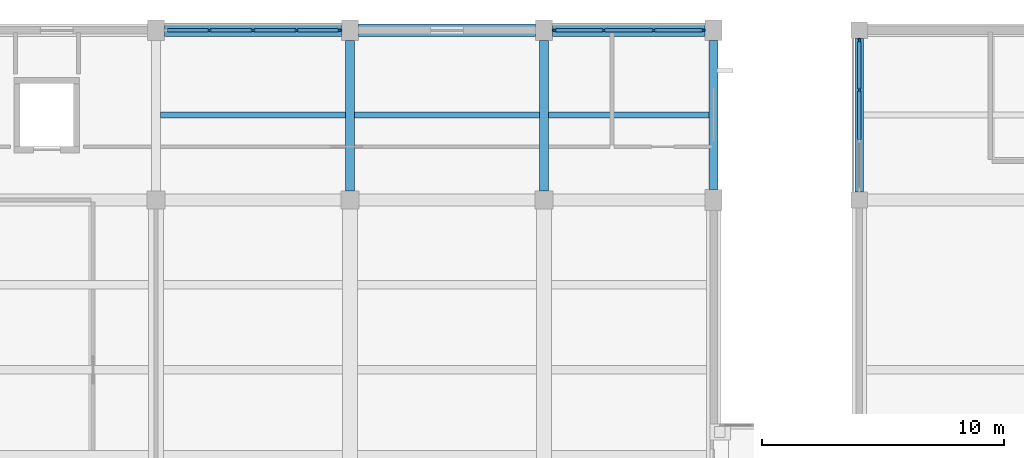
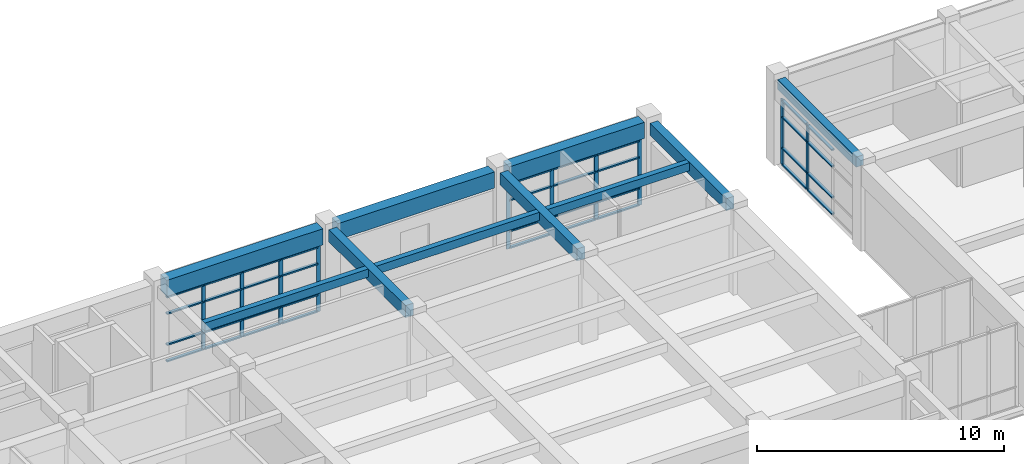
# One storey, part 32 of 72: 46 members, 10 beams, 3 elements without a shape of their own.
"""IFC4 building model written with IfcOpenShell, lengths in metres."""

from ifc_helpers import new_model, si_unit, direction, frame, origin, origin_2d, place, context, subcontext, project, spatial, rectangle, extrude, material, layer, layer_set, material_profile, profile_set, type_object, element, aggregate, save


model = new_model("IFC4")

# Units and contexts
model_context = context("Model", 3, precision=1e-05, world=origin(), true_north=direction((0.0, 1.0)))
body_context = subcontext(model_context, "Body", "Model", "MODEL_VIEW")
ifc_project = project(units=[si_unit("LENGTHUNIT", "METRE"), si_unit("AREAUNIT", "SQUARE_METRE"), si_unit("VOLUMEUNIT", "CUBIC_METRE"), si_unit("PLANEANGLEUNIT", "RADIAN"), si_unit("MASSUNIT", "GRAM", prefix="KILO")], contexts=[model_context])

# Site, building, storey
site_placement = place(None, origin())
site = spatial("IfcSite", under=ifc_project, at=site_placement, CompositionType="ELEMENT")
building_placement = place(site_placement, origin())
building = spatial("IfcBuilding", under=site, at=building_placement, Name="Naurynzar Civic Courthouse", CompositionType="ELEMENT")
storey_placement = place(building_placement, frame((0.0, 0.0, 9.89990234375)))
storey = spatial("IfcBuildingStorey", under=building, at=storey_placement, Name="L03", CompositionType="ELEMENT", Elevation=9.89990234375)

# Beams
ifc_material_1 = material(Name="Concrete C40/50", Category="concrete")
ifc_material_profile_1 = material_profile(ifc_material_1, rectangle(XDim=0.25, YDim=0.39990234375, at=origin_2d()), Name="RCB 250x400")
ifc_profile_set_1 = profile_set([ifc_material_profile_1], Name="Concrete C40/50")
beam_type_1 = type_object("IfcBeamType", Name="BM-JST-250x400", PredefinedType="JOIST", material=ifc_profile_set_1)
for number, where, z_axis, x_axis, name in (
    (1, (101.1875, 68.5, 4.0), (1.0, 0.0, 0.0), (0.0, 1.0, 0.0), "V2 secondary rib 652 L03"),
    (2, (109.1875, 68.5, 4.0), (1.0, 0.0, 0.0), (0.0, 1.0, 0.0), "V2 secondary rib 653 L03"),
):
    element("IfcBeam", number, at=place(storey_placement, frame(where, z_axis=z_axis, x_axis=x_axis)), inside=storey, type_object=beam_type_1, Name=name, PredefinedType="JOIST", context=body_context, shape_type="SweptSolid", body=[
        extrude(rectangle(XDim=0.25, YDim=0.39990234375, at=origin_2d()), origin(), (0.0, 0.0, 1.0), 7.625),
    ])
beam_1_placement = place(storey_placement, frame((117.1875, 68.5, 4.0), z_axis=(1.0, 0.0, 0.0), x_axis=(0.0, 1.0, 0.0)))
element("IfcBeam", 3, at=beam_1_placement, inside=storey, type_object=beam_type_1, Name="V2 secondary rib 654 L03", PredefinedType="JOIST", context=body_context, shape_type="SweptSolid", body=[
    extrude(rectangle(XDim=0.25, YDim=0.39990234375, at=origin_2d()), origin(), (0.0, 0.0, 1.0), 6.625),
])
ifc_material_2 = material(Name="Concrete C40/50", Category="concrete")
ifc_material_profile_2 = material_profile(ifc_material_2, rectangle(XDim=0.35009765625, YDim=0.5, at=origin_2d()), Name="RCB 350x500")
ifc_profile_set_2 = profile_set([ifc_material_profile_2], Name="Concrete C40/50")
beam_type_2 = type_object("IfcBeamType", Name="BM-RC-350x500", PredefinedType="BEAM", material=ifc_profile_set_2)
beam_2_placement = place(storey_placement, frame((130.0, 65.33740234375, 3.9501953125), z_axis=(0.0, 1.0, 0.0), x_axis=(-1.0, 0.0, 0.0)))
element("IfcBeam", 4, at=beam_2_placement, inside=storey, type_object=beam_type_2, Name="V5 girder Y-2431 L03", PredefinedType="BEAM", context=body_context, shape_type="SweptSolid", body=[
    extrude(rectangle(XDim=0.35009765625, YDim=0.5, at=origin_2d()), origin(), (0.0, 0.0, 1.0), 6.3251953125),
])
ifc_material_3 = material(Name="Concrete C40/50", Category="concrete")
ifc_material_profile_3 = material_profile(ifc_material_3, rectangle(XDim=0.375, YDim=0.60009765625, at=origin_2d()), Name="RCB 375x600")
ifc_profile_set_3 = profile_set([ifc_material_profile_3], Name="Concrete C40/50")
beam_type_3 = type_object("IfcBeamType", Name="BM-RC-375x600", PredefinedType="BEAM", material=ifc_profile_set_3)
for number, where, z_axis, x_axis, name in (
    (5, (109.0, 65.375, 3.900146484375), (0.0, 1.0, 0.0), (-1.0, 0.0, 0.0), "V2 girder Y-613 L03"),
    (6, (117.0, 65.375, 3.900146484375), (0.0, 1.0, 0.0), (-1.0, 0.0, 0.0), "V2 girder Y-616 L03"),
):
    element("IfcBeam", number, at=place(storey_placement, frame(where, z_axis=z_axis, x_axis=x_axis)), inside=storey, type_object=beam_type_3, Name=name, PredefinedType="BEAM", context=body_context, shape_type="SweptSolid", body=[
        extrude(rectangle(XDim=0.375, YDim=0.60009765625, at=origin_2d()), origin(), (0.0, 0.0, 1.0), 6.199951171875),
    ])
beam_3_placement = place(storey_placement, frame((124.0, 65.425048828125, 3.900146484375), z_axis=(0.0, 1.0, 0.0), x_axis=(-1.0, 0.0, 0.0)))
element("IfcBeam", 7, at=beam_3_placement, inside=storey, type_object=beam_type_3, Name="V2 girder Y-619 L03", PredefinedType="BEAM", context=body_context, shape_type="SweptSolid", body=[
    extrude(rectangle(XDim=0.375, YDim=0.60009765625, at=origin_2d()), origin(), (0.0, 0.0, 1.0), 6.14990234375),
])
ifc_material_4 = material(Name="Concrete C40/50", Category="concrete")
ifc_material_profile_4 = material_profile(ifc_material_4, rectangle(XDim=0.5, YDim=0.800048828125, at=origin_2d()), Name="RCB 500x800")
ifc_profile_set_4 = profile_set([ifc_material_profile_4], Name="Concrete C40/50")
beam_type_4 = type_object("IfcBeamType", Name="BM-RC-500x800", PredefinedType="BEAM", material=ifc_profile_set_4)
for number, where, z_axis, x_axis, name in (
    (8, (101.35009765625, 72.0, 3.800048828125), (1.0, 0.0, 0.0), (0.0, 1.0, 0.0), "V2 beam X-590 L03"),
    (9, (109.35009765625, 72.0, 3.800048828125), (1.0, 0.0, 0.0), (0.0, 1.0, 0.0), "V2 beam X-591 L03"),
):
    element("IfcBeam", number, at=place(storey_placement, frame(where, z_axis=z_axis, x_axis=x_axis)), inside=storey, type_object=beam_type_4, Name=name, PredefinedType="BEAM", context=body_context, shape_type="SweptSolid", body=[
        extrude(rectangle(XDim=0.5, YDim=0.800048828125, at=origin_2d()), origin(), (0.0, 0.0, 1.0), 7.2998046875),
    ])
beam_4_placement = place(storey_placement, frame((117.35009765625, 72.0, 3.800048828125), z_axis=(1.0, 0.0, 0.0), x_axis=(0.0, 1.0, 0.0)))
element("IfcBeam", 10, at=beam_4_placement, inside=storey, type_object=beam_type_4, Name="V2 beam X-592 L03", PredefinedType="BEAM", context=body_context, shape_type="SweptSolid", body=[
    extrude(rectangle(XDim=0.5, YDim=0.800048828125, at=origin_2d()), origin(), (0.0, 0.0, 1.0), 6.2998046875),
])

# Curtain wall, members
ifc_material_5 = material(Name="Aluminium 6063-T6", Category="aluminium")
ifc_layer = layer(ifc_material_5, 0.159912109375)
ifc_layer_set = layer_set([ifc_layer], Name="CW-UNIT-1800")
curtain_wall_type = type_object("IfcCurtainWallType", Name="CW-UNIT-1800", PredefinedType="NOTDEFINED", material=ifc_layer_set)
curtain_wall_1_placement = place(storey_placement, origin())
curtain_wall_1 = element("IfcCurtainWall", 11, at=curtain_wall_1_placement, inside=storey, type_object=curtain_wall_type, Name="V2 unitised curtain wall 26 L03", PredefinedType="NOTDEFINED")
ifc_material_6 = material(Name="Aluminium 6063-T6", Category="aluminium")
ifc_material_profile_5 = material_profile(ifc_material_6, rectangle(XDim=0.070068359375, YDim=0.179931640625, at=origin_2d()), Name="ALU MULLION 70x180")
ifc_profile_set_5 = profile_set([ifc_material_profile_5], Name="Aluminium 6063-T6")
member_type_1 = type_object("IfcMemberType", Name="CWM-70x180", PredefinedType="MULLION", material=ifc_profile_set_5)
member_1_placement = place(storey_placement, frame((103.199951171875, 72.0, 0.0), z_axis=(0.0, 0.0, 1.0), x_axis=(0.0, 1.0, 0.0)))
member_1 = element("IfcMember", 12, at=member_1_placement, type_object=member_type_1, Name="CW-02 mullion 2", PredefinedType="MULLION", context=body_context, shape_type="SweptSolid", body=[
    extrude(rectangle(XDim=0.070068359375, YDim=0.179931640625, at=origin_2d()), origin(), (0.0, 0.0, 1.0), 3.22998046875),
])
member_2_placement = place(storey_placement, frame((105.0, 72.0, 0.0), z_axis=(0.0, 0.0, 1.0), x_axis=(0.0, 1.0, 0.0)))
member_2 = element("IfcMember", 13, at=member_2_placement, type_object=member_type_1, Name="CW-02 mullion 3", PredefinedType="MULLION", context=body_context, shape_type="SweptSolid", body=[
    extrude(rectangle(XDim=0.070068359375, YDim=0.179931640625, at=origin_2d()), origin(), (0.0, 0.0, 1.0), 3.22998046875),
])
member_3_placement = place(storey_placement, frame((106.800048828125, 72.0, 0.0), z_axis=(0.0, 0.0, 1.0), x_axis=(0.0, 1.0, 0.0)))
member_3 = element("IfcMember", 14, at=member_3_placement, type_object=member_type_1, Name="CW-02 mullion 4", PredefinedType="MULLION", context=body_context, shape_type="SweptSolid", body=[
    extrude(rectangle(XDim=0.070068359375, YDim=0.179931640625, at=origin_2d()), origin(), (0.0, 0.0, 1.0), 3.22998046875),
])
member_4_placement = place(storey_placement, frame((108.56494140625, 72.0, 0.0), z_axis=(0.0, 0.0, 1.0), x_axis=(0.0, 1.0, 0.0)))
member_4 = element("IfcMember", 15, at=member_4_placement, type_object=member_type_1, Name="CW-02 mullion 5", PredefinedType="MULLION", context=body_context, shape_type="SweptSolid", body=[
    extrude(rectangle(XDim=0.070068359375, YDim=0.179931640625, at=origin_2d()), origin(), (0.0, 0.0, 1.0), 3.22998046875),
])

curtain_wall_2_placement = place(storey_placement, origin())
curtain_wall_2 = element("IfcCurtainWall", 16, at=curtain_wall_2_placement, inside=storey, type_object=curtain_wall_type, Name="V2 unitised curtain wall 27 L03", PredefinedType="NOTDEFINED")
member_5_placement = place(storey_placement, frame((117.43505859375, 72.0, 0.0), z_axis=(0.0, 0.0, 1.0), x_axis=(0.0, 1.0, 0.0)))
member_5 = element("IfcMember", 17, at=member_5_placement, type_object=member_type_1, Name="CW-02 mullion 1", PredefinedType="MULLION", context=body_context, shape_type="SweptSolid", body=[
    extrude(rectangle(XDim=0.070068359375, YDim=0.179931640625, at=origin_2d()), origin(), (0.0, 0.0, 1.0), 3.22998046875),
])
member_6_placement = place(storey_placement, frame((119.466552734375, 72.0, 0.0), z_axis=(0.0, 0.0, 1.0), x_axis=(0.0, 1.0, 0.0)))
member_6 = element("IfcMember", 18, at=member_6_placement, type_object=member_type_1, Name="CW-02 mullion 2", PredefinedType="MULLION", context=body_context, shape_type="SweptSolid", body=[
    extrude(rectangle(XDim=0.070068359375, YDim=0.179931640625, at=origin_2d()), origin(), (0.0, 0.0, 1.0), 3.22998046875),
])
member_7_placement = place(storey_placement, frame((121.533447265625, 72.0, 0.0), z_axis=(0.0, 0.0, 1.0), x_axis=(0.0, 1.0, 0.0)))
member_7 = element("IfcMember", 19, at=member_7_placement, type_object=member_type_1, Name="CW-02 mullion 3", PredefinedType="MULLION", context=body_context, shape_type="SweptSolid", body=[
    extrude(rectangle(XDim=0.070068359375, YDim=0.179931640625, at=origin_2d()), origin(), (0.0, 0.0, 1.0), 3.22998046875),
])
member_8_placement = place(storey_placement, frame((123.56494140625, 72.0, 0.0), z_axis=(0.0, 0.0, 1.0), x_axis=(0.0, 1.0, 0.0)))
member_8 = element("IfcMember", 20, at=member_8_placement, type_object=member_type_1, Name="CW-02 mullion 4", PredefinedType="MULLION", context=body_context, shape_type="SweptSolid", body=[
    extrude(rectangle(XDim=0.070068359375, YDim=0.179931640625, at=origin_2d()), origin(), (0.0, 0.0, 1.0), 3.22998046875),
])

curtain_wall_3_placement = place(storey_placement, origin())
curtain_wall_3 = element("IfcCurtainWall", 21, at=curtain_wall_3_placement, inside=storey, type_object=curtain_wall_type, Name="V5 unitised curtain wall 93 L03", PredefinedType="NOTDEFINED")
member_9_placement = place(storey_placement, frame((130.0, 69.53759765625, 0.0), z_axis=(0.0, 0.0, 1.0), x_axis=(-1.0, 0.0, 0.0)))
member_9 = element("IfcMember", 22, at=member_9_placement, type_object=member_type_1, Name="CW-02 mullion 3", PredefinedType="MULLION", context=body_context, shape_type="SweptSolid", body=[
    extrude(rectangle(XDim=0.070068359375, YDim=0.179931640625, at=origin_2d()), origin(), (0.0, 0.0, 1.0), 3.22998046875),
])
member_10_placement = place(storey_placement, frame((130.0, 71.577392578125, 0.0), z_axis=(0.0, 0.0, 1.0), x_axis=(-1.0, 0.0, 0.0)))
member_10 = element("IfcMember", 23, at=member_10_placement, type_object=member_type_1, Name="CW-02 mullion 4", PredefinedType="MULLION", context=body_context, shape_type="SweptSolid", body=[
    extrude(rectangle(XDim=0.070068359375, YDim=0.179931640625, at=origin_2d()), origin(), (0.0, 0.0, 1.0), 3.22998046875),
])

# Member
ifc_material_7 = material(Name="Aluminium 6063-T6", Category="aluminium")
ifc_material_profile_6 = material_profile(ifc_material_7, rectangle(XDim=0.1298828125, YDim=0.070068359375, at=origin_2d()), Name="ALU TRANSOM 70x130")
ifc_profile_set_6 = profile_set([ifc_material_profile_6], Name="Aluminium 6063-T6")
member_type_2 = type_object("IfcMemberType", Name="CWT-70x130", PredefinedType="USERDEFINED", material=ifc_profile_set_6)
member_11_placement = place(storey_placement, frame((101.469970703125, 72.0, 0.03515625), z_axis=(1.0, 0.0, 0.0), x_axis=(0.0, 1.0, 0.0)))
member_11 = element("IfcMember", 24, at=member_11_placement, type_object=member_type_2, Name="CW-02 transom 1.1", ObjectType="TRANSOM", PredefinedType="USERDEFINED", context=body_context, shape_type="SweptSolid", body=[
    extrude(rectangle(XDim=0.1298828125, YDim=0.070068359375, at=origin_2d()), origin(), (0.0, 0.0, 1.0), 1.695068359375),
])

member_12_placement = place(storey_placement, frame((101.469970703125, 72.0, 0.85009765625), z_axis=(1.0, 0.0, 0.0), x_axis=(0.0, 1.0, 0.0)))
member_12 = element("IfcMember", 25, at=member_12_placement, type_object=member_type_2, Name="CW-02 transom 1.2", ObjectType="TRANSOM", PredefinedType="USERDEFINED", context=body_context, shape_type="SweptSolid", body=[
    extrude(rectangle(XDim=0.1298828125, YDim=0.070068359375, at=origin_2d()), origin(), (0.0, 0.0, 1.0), 1.695068359375),
])

member_13_placement = place(storey_placement, frame((101.469970703125, 72.0, 2.380126953125), z_axis=(1.0, 0.0, 0.0), x_axis=(0.0, 1.0, 0.0)))
member_13 = element("IfcMember", 26, at=member_13_placement, type_object=member_type_2, Name="CW-02 transom 1.3", ObjectType="TRANSOM", PredefinedType="USERDEFINED", context=body_context, shape_type="SweptSolid", body=[
    extrude(rectangle(XDim=0.1298828125, YDim=0.070068359375, at=origin_2d()), origin(), (0.0, 0.0, 1.0), 1.695068359375),
])

member_14_placement = place(storey_placement, frame((101.469970703125, 72.0, 3.195068359375), z_axis=(1.0, 0.0, 0.0), x_axis=(0.0, 1.0, 0.0)))
member_14 = element("IfcMember", 27, at=member_14_placement, type_object=member_type_2, Name="CW-02 transom 1.4", ObjectType="TRANSOM", PredefinedType="USERDEFINED", context=body_context, shape_type="SweptSolid", body=[
    extrude(rectangle(XDim=0.1298828125, YDim=0.070068359375, at=origin_2d()), origin(), (0.0, 0.0, 1.0), 1.695068359375),
])

member_15_placement = place(storey_placement, frame((103.235107421875, 72.0, 0.03515625), z_axis=(1.0, 0.0, 0.0), x_axis=(0.0, 1.0, 0.0)))
member_15 = element("IfcMember", 28, at=member_15_placement, type_object=member_type_2, Name="CW-02 transom 2.1", ObjectType="TRANSOM", PredefinedType="USERDEFINED", context=body_context, shape_type="SweptSolid", body=[
    extrude(rectangle(XDim=0.1298828125, YDim=0.070068359375, at=origin_2d()), origin(), (0.0, 0.0, 1.0), 1.72998046875),
])

member_16_placement = place(storey_placement, frame((103.235107421875, 72.0, 0.85009765625), z_axis=(1.0, 0.0, 0.0), x_axis=(0.0, 1.0, 0.0)))
member_16 = element("IfcMember", 29, at=member_16_placement, type_object=member_type_2, Name="CW-02 transom 2.2", ObjectType="TRANSOM", PredefinedType="USERDEFINED", context=body_context, shape_type="SweptSolid", body=[
    extrude(rectangle(XDim=0.1298828125, YDim=0.070068359375, at=origin_2d()), origin(), (0.0, 0.0, 1.0), 1.72998046875),
])

member_17_placement = place(storey_placement, frame((103.235107421875, 72.0, 2.380126953125), z_axis=(1.0, 0.0, 0.0), x_axis=(0.0, 1.0, 0.0)))
member_17 = element("IfcMember", 30, at=member_17_placement, type_object=member_type_2, Name="CW-02 transom 2.3", ObjectType="TRANSOM", PredefinedType="USERDEFINED", context=body_context, shape_type="SweptSolid", body=[
    extrude(rectangle(XDim=0.1298828125, YDim=0.070068359375, at=origin_2d()), origin(), (0.0, 0.0, 1.0), 1.72998046875),
])

member_18_placement = place(storey_placement, frame((103.235107421875, 72.0, 3.195068359375), z_axis=(1.0, 0.0, 0.0), x_axis=(0.0, 1.0, 0.0)))
member_18 = element("IfcMember", 31, at=member_18_placement, type_object=member_type_2, Name="CW-02 transom 2.4", ObjectType="TRANSOM", PredefinedType="USERDEFINED", context=body_context, shape_type="SweptSolid", body=[
    extrude(rectangle(XDim=0.1298828125, YDim=0.070068359375, at=origin_2d()), origin(), (0.0, 0.0, 1.0), 1.72998046875),
])

member_19_placement = place(storey_placement, frame((105.034912109375, 72.0, 0.03515625), z_axis=(1.0, 0.0, 0.0), x_axis=(0.0, 1.0, 0.0)))
member_19 = element("IfcMember", 32, at=member_19_placement, type_object=member_type_2, Name="CW-02 transom 3.1", ObjectType="TRANSOM", PredefinedType="USERDEFINED", context=body_context, shape_type="SweptSolid", body=[
    extrude(rectangle(XDim=0.1298828125, YDim=0.070068359375, at=origin_2d()), origin(), (0.0, 0.0, 1.0), 1.72998046875),
])

member_20_placement = place(storey_placement, frame((105.034912109375, 72.0, 0.85009765625), z_axis=(1.0, 0.0, 0.0), x_axis=(0.0, 1.0, 0.0)))
member_20 = element("IfcMember", 33, at=member_20_placement, type_object=member_type_2, Name="CW-02 transom 3.2", ObjectType="TRANSOM", PredefinedType="USERDEFINED", context=body_context, shape_type="SweptSolid", body=[
    extrude(rectangle(XDim=0.1298828125, YDim=0.070068359375, at=origin_2d()), origin(), (0.0, 0.0, 1.0), 1.72998046875),
])

member_21_placement = place(storey_placement, frame((105.034912109375, 72.0, 2.380126953125), z_axis=(1.0, 0.0, 0.0), x_axis=(0.0, 1.0, 0.0)))
member_21 = element("IfcMember", 34, at=member_21_placement, type_object=member_type_2, Name="CW-02 transom 3.3", ObjectType="TRANSOM", PredefinedType="USERDEFINED", context=body_context, shape_type="SweptSolid", body=[
    extrude(rectangle(XDim=0.1298828125, YDim=0.070068359375, at=origin_2d()), origin(), (0.0, 0.0, 1.0), 1.72998046875),
])

member_22_placement = place(storey_placement, frame((105.034912109375, 72.0, 3.195068359375), z_axis=(1.0, 0.0, 0.0), x_axis=(0.0, 1.0, 0.0)))
member_22 = element("IfcMember", 35, at=member_22_placement, type_object=member_type_2, Name="CW-02 transom 3.4", ObjectType="TRANSOM", PredefinedType="USERDEFINED", context=body_context, shape_type="SweptSolid", body=[
    extrude(rectangle(XDim=0.1298828125, YDim=0.070068359375, at=origin_2d()), origin(), (0.0, 0.0, 1.0), 1.72998046875),
])

member_23_placement = place(storey_placement, frame((106.8349609375, 72.0, 0.03515625), z_axis=(1.0, 0.0, 0.0), x_axis=(0.0, 1.0, 0.0)))
member_23 = element("IfcMember", 36, at=member_23_placement, type_object=member_type_2, Name="CW-02 transom 4.1", ObjectType="TRANSOM", PredefinedType="USERDEFINED", context=body_context, shape_type="SweptSolid", body=[
    extrude(rectangle(XDim=0.1298828125, YDim=0.070068359375, at=origin_2d()), origin(), (0.0, 0.0, 1.0), 1.695068359375),
])

member_24_placement = place(storey_placement, frame((106.8349609375, 72.0, 0.85009765625), z_axis=(1.0, 0.0, 0.0), x_axis=(0.0, 1.0, 0.0)))
member_24 = element("IfcMember", 37, at=member_24_placement, type_object=member_type_2, Name="CW-02 transom 4.2", ObjectType="TRANSOM", PredefinedType="USERDEFINED", context=body_context, shape_type="SweptSolid", body=[
    extrude(rectangle(XDim=0.1298828125, YDim=0.070068359375, at=origin_2d()), origin(), (0.0, 0.0, 1.0), 1.695068359375),
])

member_25_placement = place(storey_placement, frame((106.8349609375, 72.0, 2.380126953125), z_axis=(1.0, 0.0, 0.0), x_axis=(0.0, 1.0, 0.0)))
member_25 = element("IfcMember", 38, at=member_25_placement, type_object=member_type_2, Name="CW-02 transom 4.3", ObjectType="TRANSOM", PredefinedType="USERDEFINED", context=body_context, shape_type="SweptSolid", body=[
    extrude(rectangle(XDim=0.1298828125, YDim=0.070068359375, at=origin_2d()), origin(), (0.0, 0.0, 1.0), 1.695068359375),
])

member_26_placement = place(storey_placement, frame((106.8349609375, 72.0, 3.195068359375), z_axis=(1.0, 0.0, 0.0), x_axis=(0.0, 1.0, 0.0)))
member_26 = element("IfcMember", 39, at=member_26_placement, type_object=member_type_2, Name="CW-02 transom 4.4", ObjectType="TRANSOM", PredefinedType="USERDEFINED", context=body_context, shape_type="SweptSolid", body=[
    extrude(rectangle(XDim=0.1298828125, YDim=0.070068359375, at=origin_2d()), origin(), (0.0, 0.0, 1.0), 1.695068359375),
])

aggregate(curtain_wall_1, [member_1, member_2, member_3, member_4, member_11, member_12, member_13, member_14, member_15, member_16, member_17, member_18, member_19, member_20, member_21, member_22, member_23, member_24, member_25, member_26])

member_27_placement = place(storey_placement, frame((117.469970703125, 72.0, 0.03515625), z_axis=(1.0, 0.0, 0.0), x_axis=(0.0, 1.0, 0.0)))
member_27 = element("IfcMember", 40, at=member_27_placement, type_object=member_type_2, Name="CW-02 transom 1.1", ObjectType="TRANSOM", PredefinedType="USERDEFINED", context=body_context, shape_type="SweptSolid", body=[
    extrude(rectangle(XDim=0.1298828125, YDim=0.070068359375, at=origin_2d()), origin(), (0.0, 0.0, 1.0), 1.961669921875),
])

member_28_placement = place(storey_placement, frame((117.469970703125, 72.0, 0.85009765625), z_axis=(1.0, 0.0, 0.0), x_axis=(0.0, 1.0, 0.0)))
member_28 = element("IfcMember", 41, at=member_28_placement, type_object=member_type_2, Name="CW-02 transom 1.2", ObjectType="TRANSOM", PredefinedType="USERDEFINED", context=body_context, shape_type="SweptSolid", body=[
    extrude(rectangle(XDim=0.1298828125, YDim=0.070068359375, at=origin_2d()), origin(), (0.0, 0.0, 1.0), 1.961669921875),
])

member_29_placement = place(storey_placement, frame((117.469970703125, 72.0, 2.380126953125), z_axis=(1.0, 0.0, 0.0), x_axis=(0.0, 1.0, 0.0)))
member_29 = element("IfcMember", 42, at=member_29_placement, type_object=member_type_2, Name="CW-02 transom 1.3", ObjectType="TRANSOM", PredefinedType="USERDEFINED", context=body_context, shape_type="SweptSolid", body=[
    extrude(rectangle(XDim=0.1298828125, YDim=0.070068359375, at=origin_2d()), origin(), (0.0, 0.0, 1.0), 1.961669921875),
])

member_30_placement = place(storey_placement, frame((117.469970703125, 72.0, 3.195068359375), z_axis=(1.0, 0.0, 0.0), x_axis=(0.0, 1.0, 0.0)))
member_30 = element("IfcMember", 43, at=member_30_placement, type_object=member_type_2, Name="CW-02 transom 1.4", ObjectType="TRANSOM", PredefinedType="USERDEFINED", context=body_context, shape_type="SweptSolid", body=[
    extrude(rectangle(XDim=0.1298828125, YDim=0.070068359375, at=origin_2d()), origin(), (0.0, 0.0, 1.0), 1.961669921875),
])

member_31_placement = place(storey_placement, frame((119.501708984375, 72.0, 0.03515625), z_axis=(1.0, 0.0, 0.0), x_axis=(0.0, 1.0, 0.0)))
member_31 = element("IfcMember", 44, at=member_31_placement, type_object=member_type_2, Name="CW-02 transom 2.1", ObjectType="TRANSOM", PredefinedType="USERDEFINED", context=body_context, shape_type="SweptSolid", body=[
    extrude(rectangle(XDim=0.1298828125, YDim=0.070068359375, at=origin_2d()), origin(), (0.0, 0.0, 1.0), 1.99658203125),
])

member_32_placement = place(storey_placement, frame((119.501708984375, 72.0, 0.85009765625), z_axis=(1.0, 0.0, 0.0), x_axis=(0.0, 1.0, 0.0)))
member_32 = element("IfcMember", 45, at=member_32_placement, type_object=member_type_2, Name="CW-02 transom 2.2", ObjectType="TRANSOM", PredefinedType="USERDEFINED", context=body_context, shape_type="SweptSolid", body=[
    extrude(rectangle(XDim=0.1298828125, YDim=0.070068359375, at=origin_2d()), origin(), (0.0, 0.0, 1.0), 1.99658203125),
])

member_33_placement = place(storey_placement, frame((119.501708984375, 72.0, 2.380126953125), z_axis=(1.0, 0.0, 0.0), x_axis=(0.0, 1.0, 0.0)))
member_33 = element("IfcMember", 46, at=member_33_placement, type_object=member_type_2, Name="CW-02 transom 2.3", ObjectType="TRANSOM", PredefinedType="USERDEFINED", context=body_context, shape_type="SweptSolid", body=[
    extrude(rectangle(XDim=0.1298828125, YDim=0.070068359375, at=origin_2d()), origin(), (0.0, 0.0, 1.0), 1.99658203125),
])

member_34_placement = place(storey_placement, frame((119.501708984375, 72.0, 3.195068359375), z_axis=(1.0, 0.0, 0.0), x_axis=(0.0, 1.0, 0.0)))
member_34 = element("IfcMember", 47, at=member_34_placement, type_object=member_type_2, Name="CW-02 transom 2.4", ObjectType="TRANSOM", PredefinedType="USERDEFINED", context=body_context, shape_type="SweptSolid", body=[
    extrude(rectangle(XDim=0.1298828125, YDim=0.070068359375, at=origin_2d()), origin(), (0.0, 0.0, 1.0), 1.99658203125),
])

member_35_placement = place(storey_placement, frame((121.568359375, 72.0, 0.03515625), z_axis=(1.0, 0.0, 0.0), x_axis=(0.0, 1.0, 0.0)))
member_35 = element("IfcMember", 48, at=member_35_placement, type_object=member_type_2, Name="CW-02 transom 3.1", ObjectType="TRANSOM", PredefinedType="USERDEFINED", context=body_context, shape_type="SweptSolid", body=[
    extrude(rectangle(XDim=0.1298828125, YDim=0.070068359375, at=origin_2d()), origin(), (0.0, 0.0, 1.0), 1.961669921875),
])

member_36_placement = place(storey_placement, frame((121.568359375, 72.0, 0.85009765625), z_axis=(1.0, 0.0, 0.0), x_axis=(0.0, 1.0, 0.0)))
member_36 = element("IfcMember", 49, at=member_36_placement, type_object=member_type_2, Name="CW-02 transom 3.2", ObjectType="TRANSOM", PredefinedType="USERDEFINED", context=body_context, shape_type="SweptSolid", body=[
    extrude(rectangle(XDim=0.1298828125, YDim=0.070068359375, at=origin_2d()), origin(), (0.0, 0.0, 1.0), 1.961669921875),
])

member_37_placement = place(storey_placement, frame((121.568359375, 72.0, 2.380126953125), z_axis=(1.0, 0.0, 0.0), x_axis=(0.0, 1.0, 0.0)))
member_37 = element("IfcMember", 50, at=member_37_placement, type_object=member_type_2, Name="CW-02 transom 3.3", ObjectType="TRANSOM", PredefinedType="USERDEFINED", context=body_context, shape_type="SweptSolid", body=[
    extrude(rectangle(XDim=0.1298828125, YDim=0.070068359375, at=origin_2d()), origin(), (0.0, 0.0, 1.0), 1.961669921875),
])

member_38_placement = place(storey_placement, frame((121.568359375, 72.0, 3.195068359375), z_axis=(1.0, 0.0, 0.0), x_axis=(0.0, 1.0, 0.0)))
member_38 = element("IfcMember", 51, at=member_38_placement, type_object=member_type_2, Name="CW-02 transom 3.4", ObjectType="TRANSOM", PredefinedType="USERDEFINED", context=body_context, shape_type="SweptSolid", body=[
    extrude(rectangle(XDim=0.1298828125, YDim=0.070068359375, at=origin_2d()), origin(), (0.0, 0.0, 1.0), 1.961669921875),
])

aggregate(curtain_wall_2, [member_5, member_6, member_7, member_8, member_27, member_28, member_29, member_30, member_31, member_32, member_33, member_34, member_35, member_36, member_37, member_38])

member_39_placement = place(storey_placement, frame((130.0, 67.49755859375, 0.03515625), z_axis=(0.0, 1.0, 0.0), x_axis=(-1.0, 0.0, 0.0)))
member_39 = element("IfcMember", 52, at=member_39_placement, type_object=member_type_2, Name="CW-02 transom 2.1", ObjectType="TRANSOM", PredefinedType="USERDEFINED", context=body_context, shape_type="SweptSolid", body=[
    extrude(rectangle(XDim=0.1298828125, YDim=0.070068359375, at=origin_2d()), origin(), (0.0, 0.0, 1.0), 2.0048828125),
])

member_40_placement = place(storey_placement, frame((130.0, 67.49755859375, 0.85009765625), z_axis=(0.0, 1.0, 0.0), x_axis=(-1.0, 0.0, 0.0)))
member_40 = element("IfcMember", 53, at=member_40_placement, type_object=member_type_2, Name="CW-02 transom 2.2", ObjectType="TRANSOM", PredefinedType="USERDEFINED", context=body_context, shape_type="SweptSolid", body=[
    extrude(rectangle(XDim=0.1298828125, YDim=0.070068359375, at=origin_2d()), origin(), (0.0, 0.0, 1.0), 2.0048828125),
])

member_41_placement = place(storey_placement, frame((130.0, 67.49755859375, 2.380126953125), z_axis=(0.0, 1.0, 0.0), x_axis=(-1.0, 0.0, 0.0)))
member_41 = element("IfcMember", 54, at=member_41_placement, type_object=member_type_2, Name="CW-02 transom 2.3", ObjectType="TRANSOM", PredefinedType="USERDEFINED", context=body_context, shape_type="SweptSolid", body=[
    extrude(rectangle(XDim=0.1298828125, YDim=0.070068359375, at=origin_2d()), origin(), (0.0, 0.0, 1.0), 2.0048828125),
])

member_42_placement = place(storey_placement, frame((130.0, 67.49755859375, 3.195068359375), z_axis=(0.0, 1.0, 0.0), x_axis=(-1.0, 0.0, 0.0)))
member_42 = element("IfcMember", 55, at=member_42_placement, type_object=member_type_2, Name="CW-02 transom 2.4", ObjectType="TRANSOM", PredefinedType="USERDEFINED", context=body_context, shape_type="SweptSolid", body=[
    extrude(rectangle(XDim=0.1298828125, YDim=0.070068359375, at=origin_2d()), origin(), (0.0, 0.0, 1.0), 2.0048828125),
])

member_43_placement = place(storey_placement, frame((130.0, 69.572509765625, 0.03515625), z_axis=(0.0, 1.0, 0.0), x_axis=(-1.0, 0.0, 0.0)))
member_43 = element("IfcMember", 56, at=member_43_placement, type_object=member_type_2, Name="CW-02 transom 3.1", ObjectType="TRANSOM", PredefinedType="USERDEFINED", context=body_context, shape_type="SweptSolid", body=[
    extrude(rectangle(XDim=0.1298828125, YDim=0.070068359375, at=origin_2d()), origin(), (0.0, 0.0, 1.0), 1.969970703125),
])

member_44_placement = place(storey_placement, frame((130.0, 69.572509765625, 0.85009765625), z_axis=(0.0, 1.0, 0.0), x_axis=(-1.0, 0.0, 0.0)))
member_44 = element("IfcMember", 57, at=member_44_placement, type_object=member_type_2, Name="CW-02 transom 3.2", ObjectType="TRANSOM", PredefinedType="USERDEFINED", context=body_context, shape_type="SweptSolid", body=[
    extrude(rectangle(XDim=0.1298828125, YDim=0.070068359375, at=origin_2d()), origin(), (0.0, 0.0, 1.0), 1.969970703125),
])

member_45_placement = place(storey_placement, frame((130.0, 69.572509765625, 2.380126953125), z_axis=(0.0, 1.0, 0.0), x_axis=(-1.0, 0.0, 0.0)))
member_45 = element("IfcMember", 58, at=member_45_placement, type_object=member_type_2, Name="CW-02 transom 3.3", ObjectType="TRANSOM", PredefinedType="USERDEFINED", context=body_context, shape_type="SweptSolid", body=[
    extrude(rectangle(XDim=0.1298828125, YDim=0.070068359375, at=origin_2d()), origin(), (0.0, 0.0, 1.0), 1.969970703125),
])

member_46_placement = place(storey_placement, frame((130.0, 69.572509765625, 3.195068359375), z_axis=(0.0, 1.0, 0.0), x_axis=(-1.0, 0.0, 0.0)))
member_46 = element("IfcMember", 59, at=member_46_placement, type_object=member_type_2, Name="CW-02 transom 3.4", ObjectType="TRANSOM", PredefinedType="USERDEFINED", context=body_context, shape_type="SweptSolid", body=[
    extrude(rectangle(XDim=0.1298828125, YDim=0.070068359375, at=origin_2d()), origin(), (0.0, 0.0, 1.0), 1.969970703125),
])

aggregate(curtain_wall_3, [member_9, member_10, member_39, member_40, member_41, member_42, member_43, member_44, member_45, member_46])

save(model, "model.ifc")
